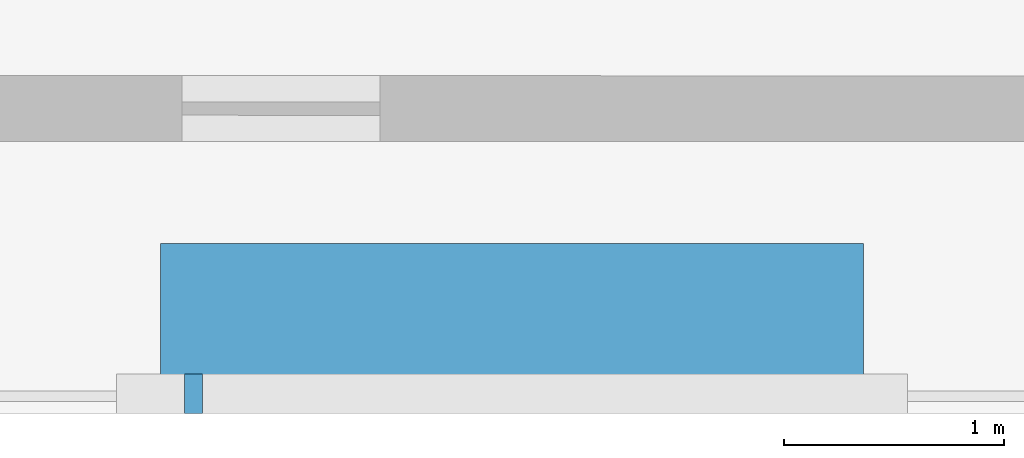
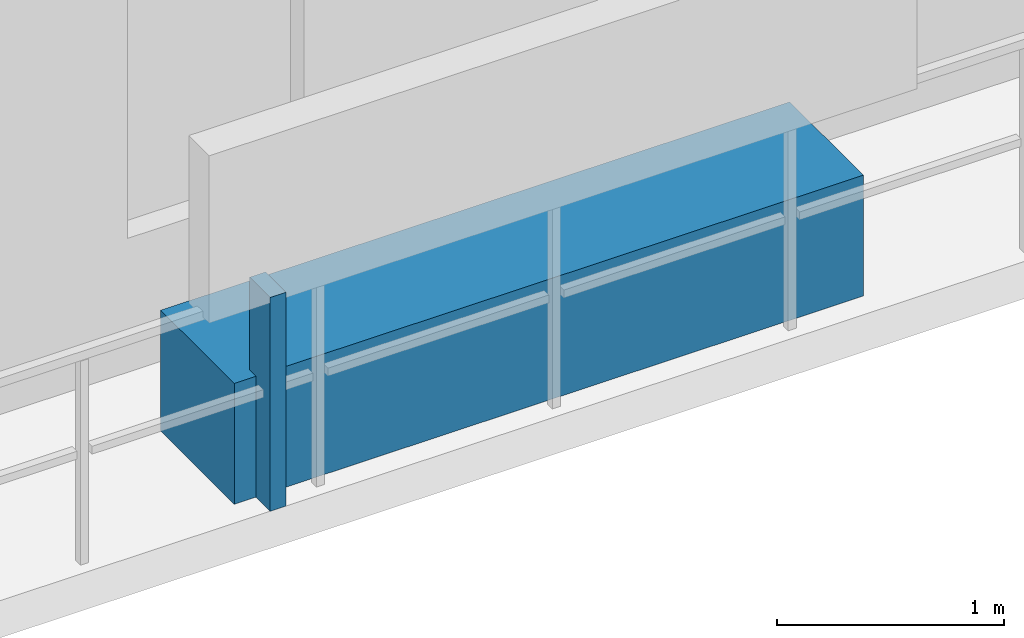
# One storey, part 29 of 34: 2 discrete accessories.
"""IFC4 building model written with IfcOpenShell, lengths in metres."""

from ifc_helpers import new_model, si_unit, direction, frame, origin, origin_2d, place, context, subcontext, project, spatial, rectangle, extrude, material, type_object, element, save


model = new_model("IFC4")

# Units and contexts
model_context = context("Model", 3, precision=1e-05, world=origin(), true_north=direction((0.0, 1.0)))
body_context = subcontext(model_context, "Body", "Model", "MODEL_VIEW")
ifc_project = project(units=[si_unit("LENGTHUNIT", "METRE"), si_unit("AREAUNIT", "SQUARE_METRE"), si_unit("VOLUMEUNIT", "CUBIC_METRE"), si_unit("PLANEANGLEUNIT", "RADIAN"), si_unit("MASSUNIT", "GRAM", prefix="KILO")], contexts=[model_context])

# Site, building, storey
site_placement = place(None, origin())
site = spatial("IfcSite", under=ifc_project, at=site_placement, CompositionType="ELEMENT")
building_placement = place(site_placement, origin())
building = spatial("IfcBuilding", under=site, at=building_placement, Name="Thornwick Lancets Civic Towers", CompositionType="ELEMENT")
storey_placement = place(building_placement, frame((0.0, 0.0, 258.300048828125)))
storey = spatial("IfcBuildingStorey", under=building, at=storey_placement, Name="L69", CompositionType="ELEMENT", Elevation=258.300048828125)

# Discrete accessories
ifc_material_1 = material(Name="Planted terracotta greenery planter", Category="masonry")
discrete_accessory_type_1 = type_object("IfcDiscreteAccessoryType", Name="ACC_PLANTER_BOX", PredefinedType="USERDEFINED", material=ifc_material_1)
discrete_accessory_1_placement = place(storey_placement, frame((25.5, 2.300048828125, 0.0), z_axis=(0.0, 0.0, 1.0), x_axis=(1.0, 0.0, 0.0)))
element("IfcDiscreteAccessory", 1, at=discrete_accessory_1_placement, inside=storey, type_object=discrete_accessory_type_1, Name="L69 Tower A Balcony Greenery Planter S", ObjectType="PLANTER", PredefinedType="USERDEFINED", context=body_context, shape_type="SweptSolid", body=[
    extrude(rectangle(XDim=3.199951171875, YDim=0.64990234375, at=origin_2d()), origin(), (0.0, 0.0, 1.0), 0.64990234375),
])
ifc_material_2 = material(Name="Stainless steel S355", Category="steel")
discrete_accessory_type_2 = type_object("IfcDiscreteAccessoryType", Name="ACC_SCREEN_BRACKET", PredefinedType="BRACKET", material=ifc_material_2)
discrete_accessory_2_placement = place(storey_placement, frame((24.050048828125, 1.93994140625, 0.0), z_axis=(0.0, 0.0, 1.0), x_axis=(1.0, 0.0, 0.0)))
element("IfcDiscreteAccessory", 2, at=discrete_accessory_2_placement, inside=storey, type_object=discrete_accessory_type_2, Name="L69 Tower A Balcony Screen Stanchion Bracket S-1", PredefinedType="BRACKET", context=body_context, shape_type="SweptSolid", body=[
    extrude(rectangle(XDim=0.080078125, YDim=0.179931640625, at=origin_2d()), origin(), (0.0, 0.0, 1.0), 1.14990234375),
])

save(model, "model.ifc")
